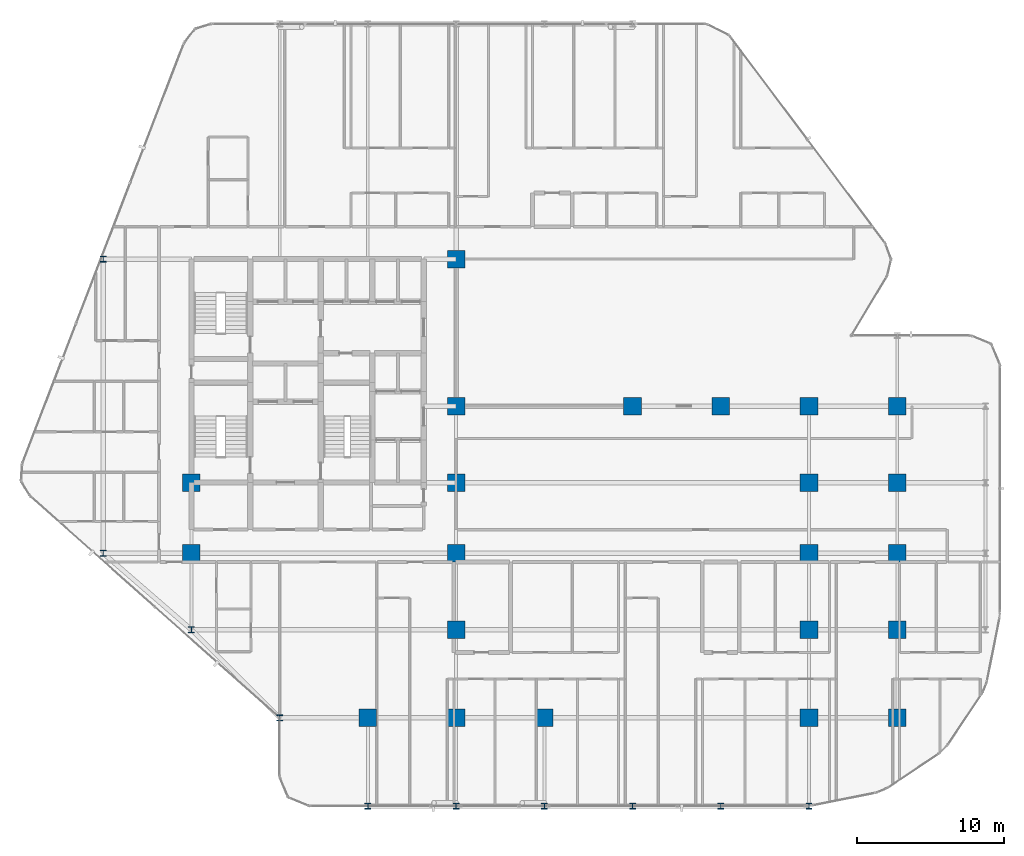
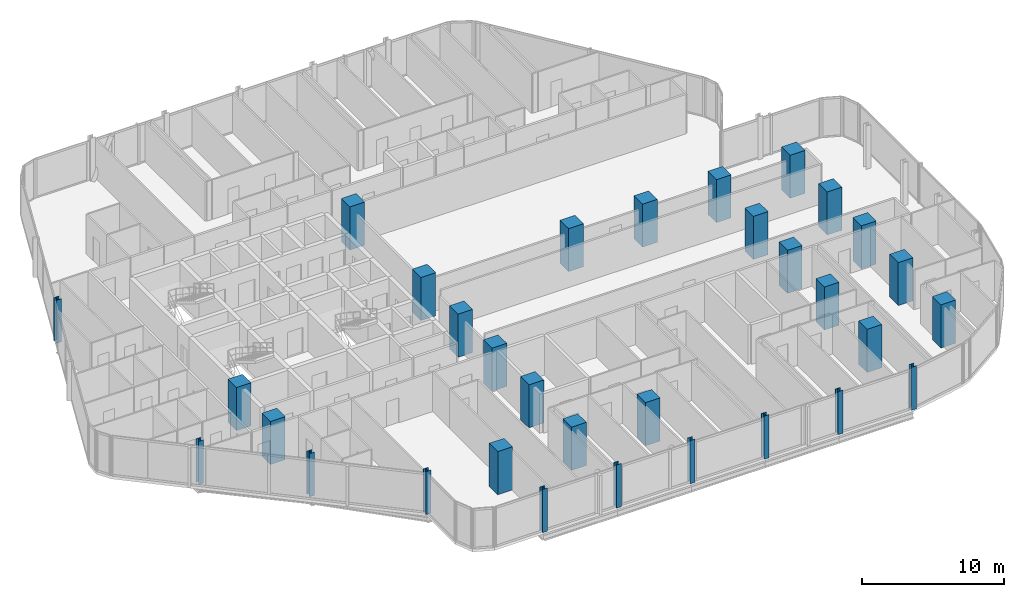
# One storey, part 1 of 34: 32 columns.
"""IFC4 building model written with IfcOpenShell, lengths in metres."""

from ifc_helpers import new_model, si_unit, direction, frame, origin, origin_2d, place, context, subcontext, project, spatial, rectangle, i_section, extrude, material, material_profile, profile_set, type_object, element, save


model = new_model("IFC4")

# Units and contexts
model_context = context("Model", 3, precision=1e-05, world=origin(), true_north=direction((0.0, 1.0)))
body_context = subcontext(model_context, "Body", "Model", "MODEL_VIEW")
ifc_project = project(units=[si_unit("LENGTHUNIT", "METRE"), si_unit("AREAUNIT", "SQUARE_METRE"), si_unit("VOLUMEUNIT", "CUBIC_METRE"), si_unit("PLANEANGLEUNIT", "RADIAN"), si_unit("MASSUNIT", "GRAM", prefix="KILO")], contexts=[model_context])

# Site, building, storey
site_placement = place(None, origin())
site = spatial("IfcSite", under=ifc_project, at=site_placement, CompositionType="ELEMENT")
building_placement = place(site_placement, origin())
building = spatial("IfcBuilding", under=site, at=building_placement, Name="Keshet Zoharim Tower", CompositionType="ELEMENT")
storey_placement = place(building_placement, frame((0.0, 0.0, 53.60009765625)))
storey = spatial("IfcBuildingStorey", under=building, at=storey_placement, Name="L12", CompositionType="ELEMENT", Elevation=53.60009765625)

# Columns
ifc_material_1 = material(Name="Steel S355", Category="steel")
ifc_material_profile_1 = material_profile(ifc_material_1, i_section(OverallWidth=0.40087890625, OverallDepth=0.39892578125, WebThickness=0.02490234375, FlangeThickness=0.03955078125, FilletRadius=0.014892578125, at=origin_2d()), Name="HD400x314")
ifc_profile_set_1 = profile_set([ifc_material_profile_1], Name="Steel S355")
column_type_1 = type_object("IfcColumnType", Name="COL-HD314", PredefinedType="COLUMN", material=ifc_profile_set_1)
for number, where, z_axis, x_axis, name in (
    (1, (9.0, 17.89990234375, 0.0), (0.0, 0.0, 1.0), (1.0, 0.0, 0.0), "L12 Column 2D"),
    (2, (9.0, 37.89990234375, 0.0), (0.0, 0.0, 1.0), (1.0, 0.0, 0.0), "L12 Column 2H"),
    (3, (15.0, 12.699951171875, 0.0), (0.0, 0.0, 1.0), (1.0, 0.0, 0.0), "L12 Column 3C"),
    (4, (21.0, 6.699951171875, 0.0), (0.0, 0.0, 1.0), (1.0, 0.0, 0.0), "L12 Column 4B"),
    (5, (27.0, 0.699951171875, 0.0), (0.0, 0.0, 1.0), (1.0, 0.0, 0.0), "L12 Column 5A"),
    (6, (33.0, 0.699951171875, 0.0), (0.0, 0.0, 1.0), (1.0, 0.0, 0.0), "L12 Column 6A"),
    (7, (39.0, 0.699951171875, 0.0), (0.0, 0.0, 1.0), (1.0, 0.0, 0.0), "L12 Column 7A"),
    (8, (45.0, 0.699951171875, 0.0), (0.0, 0.0, 1.0), (1.0, 0.0, 0.0), "L12 Column 8A"),
    (9, (51.0, 0.699951171875, 0.0), (0.0, 0.0, 1.0), (1.0, 0.0, 0.0), "L12 Column 9A"),
    (10, (57.0, 0.699951171875, 0.0), (0.0, 0.0, 1.0), (1.0, 0.0, 0.0), "L12 Column 10A"),
):
    element("IfcColumn", number, at=place(storey_placement, frame(where, z_axis=z_axis, x_axis=x_axis)), inside=storey, type_object=column_type_1, Name=name, PredefinedType="COLUMN", context=body_context, shape_type="SweptSolid", body=[
        extrude(i_section(OverallWidth=0.40087890625, OverallDepth=0.39892578125, WebThickness=0.02490234375, FlangeThickness=0.03955078125, FilletRadius=0.014892578125, at=origin_2d()), origin(), (0.0, 0.0, 1.0), 3.699951171875),
    ])
ifc_material_2 = material(Name="Concrete C60/75", Category="concrete")
ifc_material_profile_2 = material_profile(ifc_material_2, rectangle(XDim=1.199951171875, YDim=1.199951171875, at=origin_2d()), Name="RC1200x1200")
ifc_profile_set_2 = profile_set([ifc_material_profile_2], Name="Concrete C60/75")
column_type_2 = type_object("IfcColumnType", Name="COL-RC1200", PredefinedType="COLUMN", material=ifc_profile_set_2)
for number, where, z_axis, x_axis, name in (
    (11, (15.0, 17.89990234375, 0.0), (0.0, 0.0, 1.0), (1.0, 0.0, 0.0), "L12 Column 3D"),
    (12, (15.0, 22.699951171875, 0.0), (0.0, 0.0, 1.0), (1.0, 0.0, 0.0), "L12 Column 3E"),
    (13, (27.0, 6.699951171875, 0.0), (0.0, 0.0, 1.0), (1.0, 0.0, 0.0), "L12 Column 5B"),
    (14, (33.0, 6.699951171875, 0.0), (0.0, 0.0, 1.0), (1.0, 0.0, 0.0), "L12 Column 6B"),
    (15, (33.0, 12.699951171875, 0.0), (0.0, 0.0, 1.0), (1.0, 0.0, 0.0), "L12 Column 6C"),
    (16, (33.0, 17.89990234375, 0.0), (0.0, 0.0, 1.0), (1.0, 0.0, 0.0), "L12 Column 6D"),
    (17, (33.0, 22.699951171875, 0.0), (0.0, 0.0, 1.0), (1.0, 0.0, 0.0), "L12 Column 6E"),
    (18, (33.0, 27.89990234375, 0.0), (0.0, 0.0, 1.0), (1.0, 0.0, 0.0), "L12 Column 6F"),
    (19, (33.0, 37.89990234375, 0.0), (0.0, 0.0, 1.0), (1.0, 0.0, 0.0), "L12 Column 6H"),
    (20, (39.0, 6.699951171875, 0.0), (0.0, 0.0, 1.0), (1.0, 0.0, 0.0), "L12 Column 7B"),
    (21, (45.0, 27.89990234375, 0.0), (0.0, 0.0, 1.0), (1.0, 0.0, 0.0), "L12 Column 8F"),
    (22, (51.0, 27.89990234375, 0.0), (0.0, 0.0, 1.0), (1.0, 0.0, 0.0), "L12 Column 9F"),
    (23, (57.0, 6.699951171875, 0.0), (0.0, 0.0, 1.0), (1.0, 0.0, 0.0), "L12 Column 10B"),
    (24, (57.0, 12.699951171875, 0.0), (0.0, 0.0, 1.0), (1.0, 0.0, 0.0), "L12 Column 10C"),
    (25, (57.0, 17.89990234375, 0.0), (0.0, 0.0, 1.0), (1.0, 0.0, 0.0), "L12 Column 10D"),
    (26, (57.0, 22.699951171875, 0.0), (0.0, 0.0, 1.0), (1.0, 0.0, 0.0), "L12 Column 10E"),
    (27, (57.0, 27.89990234375, 0.0), (0.0, 0.0, 1.0), (1.0, 0.0, 0.0), "L12 Column 10F"),
    (28, (63.0, 6.699951171875, 0.0), (0.0, 0.0, 1.0), (1.0, 0.0, 0.0), "L12 Column 11B"),
    (29, (63.0, 12.699951171875, 0.0), (0.0, 0.0, 1.0), (1.0, 0.0, 0.0), "L12 Column 11C"),
    (30, (63.0, 17.89990234375, 0.0), (0.0, 0.0, 1.0), (1.0, 0.0, 0.0), "L12 Column 11D"),
    (31, (63.0, 22.699951171875, 0.0), (0.0, 0.0, 1.0), (1.0, 0.0, 0.0), "L12 Column 11E"),
    (32, (63.0, 27.89990234375, 0.0), (0.0, 0.0, 1.0), (1.0, 0.0, 0.0), "L12 Column 11F"),
):
    element("IfcColumn", number, at=place(storey_placement, frame(where, z_axis=z_axis, x_axis=x_axis)), inside=storey, type_object=column_type_2, Name=name, PredefinedType="COLUMN", context=body_context, shape_type="SweptSolid", body=[
        extrude(rectangle(XDim=1.199951171875, YDim=1.199951171875, at=origin_2d()), origin(), (0.0, 0.0, 1.0), 3.699951171875),
    ])

save(model, "model.ifc")
